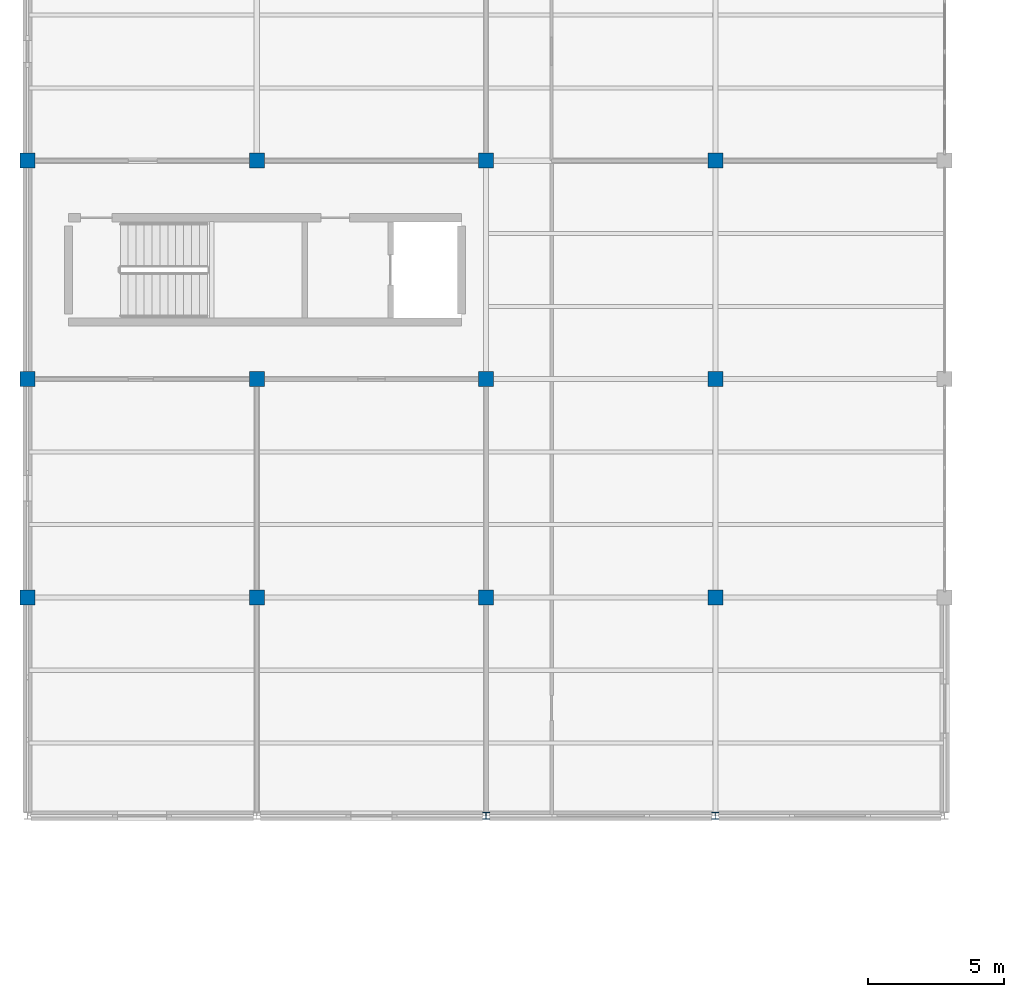
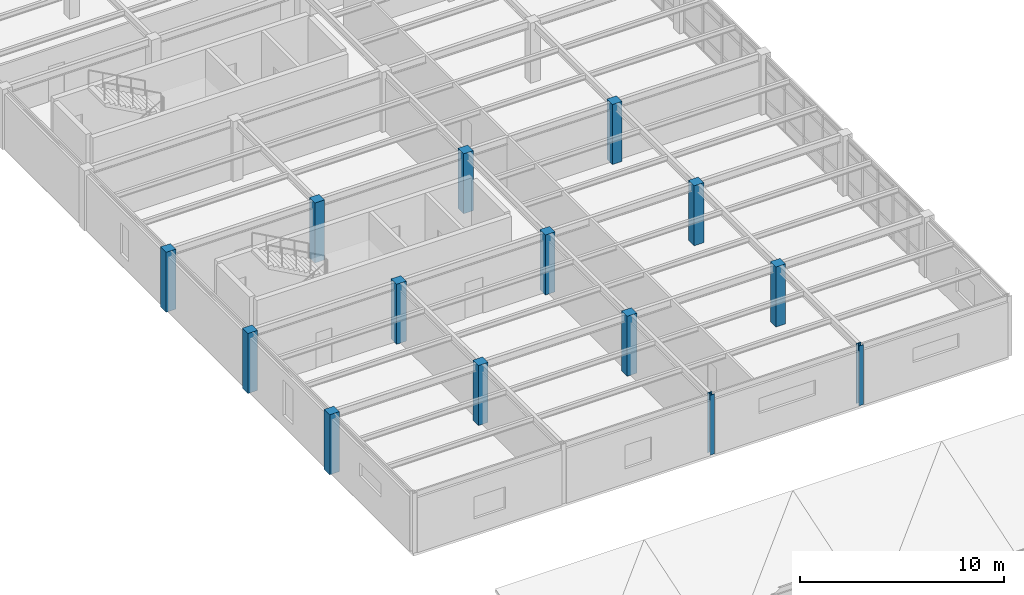
# One storey, part 2 of 53: 14 columns.
"""IFC4 building model written with IfcOpenShell, lengths in metres."""

from ifc_helpers import new_model, si_unit, direction, frame, origin, origin_2d, place, context, subcontext, project, spatial, rectangle, i_section, extrude, material, material_profile, profile_set, type_object, element, save


model = new_model("IFC4")

# Units and contexts
model_context = context("Model", 3, precision=1e-05, world=origin(), true_north=direction((0.0, 1.0)))
body_context = subcontext(model_context, "Body", "Model", "MODEL_VIEW")
ifc_project = project(units=[si_unit("LENGTHUNIT", "METRE"), si_unit("AREAUNIT", "SQUARE_METRE"), si_unit("VOLUMEUNIT", "CUBIC_METRE"), si_unit("PLANEANGLEUNIT", "RADIAN"), si_unit("MASSUNIT", "GRAM", prefix="KILO")], contexts=[model_context])

# Site, building, storey
site_placement = place(None, origin())
site = spatial("IfcSite", under=ifc_project, at=site_placement, CompositionType="ELEMENT")
building_placement = place(site_placement, origin())
building = spatial("IfcBuilding", under=site, at=building_placement, Name="Kranzveld Transit Interchange", CompositionType="ELEMENT")
storey_placement = place(building_placement, frame((0.0, 0.0, 13.360107421875)))
storey = spatial("IfcBuildingStorey", under=building, at=storey_placement, Name="L03", CompositionType="ELEMENT", Elevation=13.360107421875)

# Columns
ifc_material_1 = material(Name="Concrete C35/45", Category="concrete")
ifc_material_profile_1 = material_profile(ifc_material_1, rectangle(XDim=0.550048828125, YDim=0.550048828125, at=origin_2d()), Name="RC 550x550")
ifc_profile_set_1 = profile_set([ifc_material_profile_1], Name="Concrete C35/45")
column_type_1 = type_object("IfcColumnType", Name="Column RC 550x550 C35/45", PredefinedType="COLUMN", material=ifc_profile_set_1)
for number, where, z_axis, x_axis, name in (
    (1, (0.0, 56.0, 0.0), (0.0, 0.0, 1.0), (1.0, 0.0, 0.0), "L03 Column 01/H"),
    (2, (0.0, 64.0, 0.0), (0.0, 0.0, 1.0), (1.0, 0.0, 0.0), "L03 Column 01/J"),
    (3, (0.0, 72.0, 0.0), (0.0, 0.0, 1.0), (1.0, 0.0, 0.0), "L03 Column 01/K"),
    (4, (8.39990234375, 56.0, 0.0), (0.0, 0.0, 1.0), (1.0, 0.0, 0.0), "L03 Column 02/H"),
    (5, (8.39990234375, 64.0, 0.0), (0.0, 0.0, 1.0), (1.0, 0.0, 0.0), "L03 Column 02/J"),
    (6, (8.39990234375, 72.0, 0.0), (0.0, 0.0, 1.0), (1.0, 0.0, 0.0), "L03 Column 02/K"),
    (7, (16.800048828125, 56.0, 0.0), (0.0, 0.0, 1.0), (1.0, 0.0, 0.0), "L03 Column 03/H"),
    (8, (16.800048828125, 64.0, 0.0), (0.0, 0.0, 1.0), (1.0, 0.0, 0.0), "L03 Column 03/J"),
    (9, (16.800048828125, 72.0, 0.0), (0.0, 0.0, 1.0), (1.0, 0.0, 0.0), "L03 Column 03/K"),
    (10, (25.199951171875, 56.0, 0.0), (0.0, 0.0, 1.0), (1.0, 0.0, 0.0), "L03 Column 04/H"),
    (11, (25.199951171875, 64.0, 0.0), (0.0, 0.0, 1.0), (1.0, 0.0, 0.0), "L03 Column 04/J"),
    (12, (25.199951171875, 72.0, 0.0), (0.0, 0.0, 1.0), (1.0, 0.0, 0.0), "L03 Column 04/K"),
):
    element("IfcColumn", number, at=place(storey_placement, frame(where, z_axis=z_axis, x_axis=x_axis)), inside=storey, type_object=column_type_1, Name=name, PredefinedType="COLUMN", context=body_context, shape_type="SweptSolid", body=[
        extrude(rectangle(XDim=0.550048828125, YDim=0.550048828125, at=origin_2d()), origin(), (0.0, 0.0, 1.0), 3.579833984375),
    ])
ifc_material_2 = material(Name="Steel S355JR", Category="steel")
ifc_material_profile_2 = material_profile(ifc_material_2, i_section(OverallWidth=0.25634765625, OverallDepth=0.26025390625, WebThickness=0.01025390625, FlangeThickness=0.017333984375, FilletRadius=0.0126953125, at=origin_2d()), Name="UC 254x254x89")
ifc_profile_set_2 = profile_set([ifc_material_profile_2], Name="Steel S355JR")
column_type_2 = type_object("IfcColumnType", Name="Column Steel UC 254x254x89 S355JR", PredefinedType="COLUMN", material=ifc_profile_set_2)
for number, where, z_axis, x_axis, name in (
    (13, (16.800048828125, 48.0, 0.0), (0.0, 0.0, 1.0), (1.0, 0.0, 0.0), "L03 Column 03/G"),
    (14, (25.199951171875, 48.0, 0.0), (0.0, 0.0, 1.0), (1.0, 0.0, 0.0), "L03 Column 04/G"),
):
    element("IfcColumn", number, at=place(storey_placement, frame(where, z_axis=z_axis, x_axis=x_axis)), inside=storey, type_object=column_type_2, Name=name, PredefinedType="COLUMN", context=body_context, shape_type="SweptSolid", body=[
        extrude(i_section(OverallWidth=0.25634765625, OverallDepth=0.26025390625, WebThickness=0.01025390625, FlangeThickness=0.017333984375, FilletRadius=0.0126953125, at=origin_2d()), origin(), (0.0, 0.0, 1.0), 3.579833984375),
    ])

save(model, "model.ifc")
